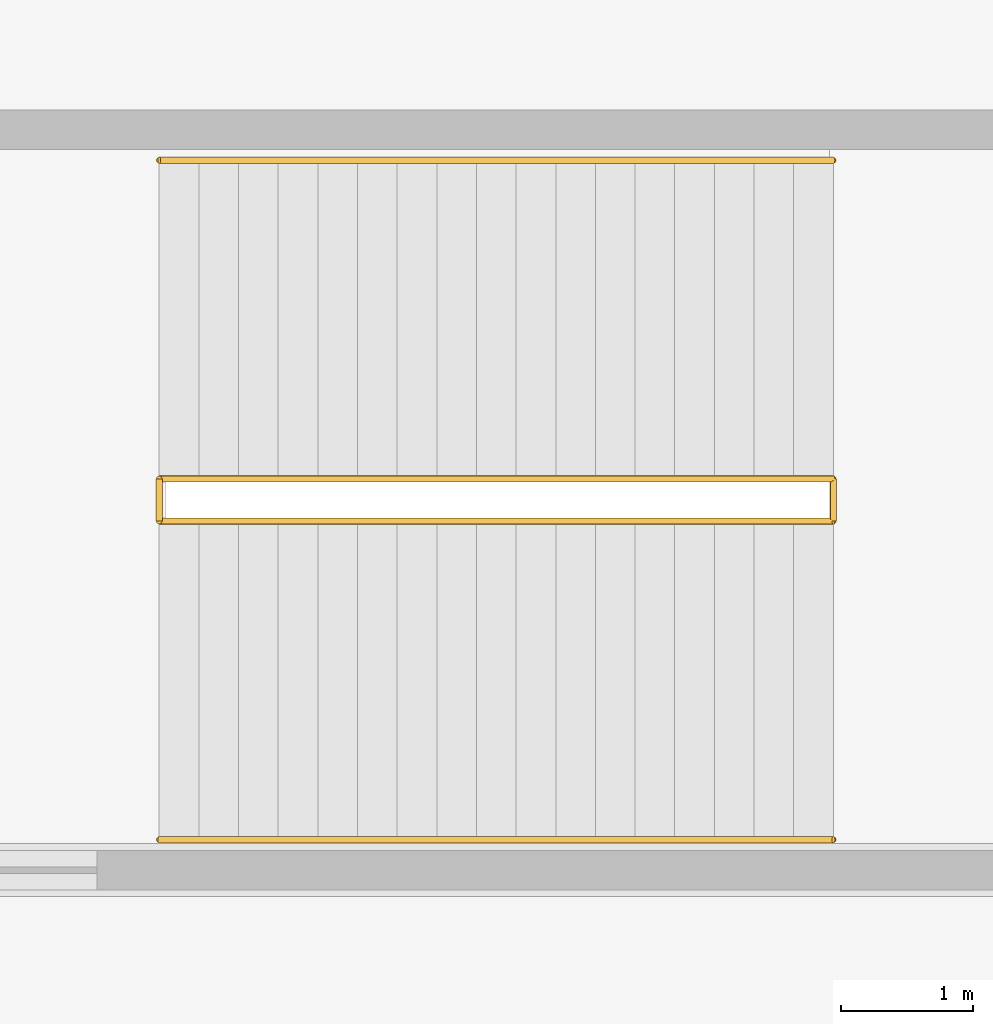
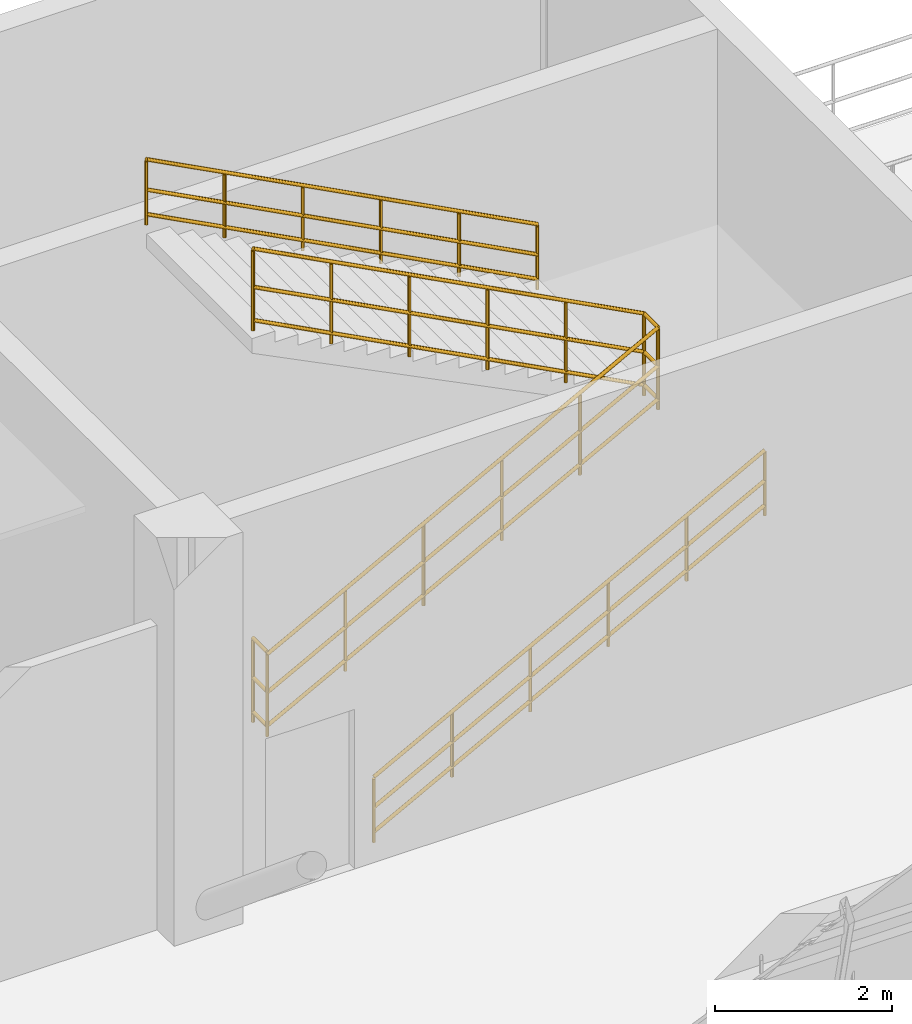
# One storey, part 155 of 175: 4 railings.
"""IFC4 building model written with IfcOpenShell, lengths in metres."""

from ifc_helpers import new_model, si_unit, direction, frame, origin, origin_2d, place, context, subcontext, project, spatial, circle, extrude, material, type_object, element, save


model = new_model("IFC4")

# Units and contexts
model_context = context("Model", 3, precision=1e-05, world=origin(), true_north=direction((0.0, 1.0)))
body_context = subcontext(model_context, "Body", "Model", "MODEL_VIEW")
ifc_project = project(units=[si_unit("LENGTHUNIT", "METRE"), si_unit("AREAUNIT", "SQUARE_METRE"), si_unit("VOLUMEUNIT", "CUBIC_METRE"), si_unit("PLANEANGLEUNIT", "RADIAN"), si_unit("MASSUNIT", "GRAM", prefix="KILO")], contexts=[model_context])

# Site, building, storey
site_placement = place(None, origin())
site = spatial("IfcSite", under=ifc_project, at=site_placement, CompositionType="ELEMENT")
building_placement = place(site_placement, origin())
building = spatial("IfcBuilding", under=site, at=building_placement, Name="Brelvane Convention Centre", CompositionType="ELEMENT")
storey_placement = place(building_placement, frame((0.0, 0.0, 5.39990234375)))
storey = spatial("IfcBuildingStorey", under=building, at=storey_placement, Name="L01", CompositionType="ELEMENT", Elevation=5.39990234375)

# Railings
ifc_material_1 = material(Name="Steel E350 (350 MPa)", Category="steel")
railing_type_1 = type_object("IfcRailingType", Name="Stair Railing GR-ST-1", PredefinedType="GUARDRAIL", material=ifc_material_1)
railing_1_placement = place(storey_placement, frame((84.14990234375, 21.840087890625, -0.02001953125)))
element("IfcRailing", 1, at=railing_1_placement, inside=storey, type_object=railing_type_1, Name="Stair ST-10 L01 Inner Well Guard", PredefinedType="GUARDRAIL", context=body_context, shape_type="SweptSolid", body=[
    extrude(circle(Radius=0.02392578125, at=origin_2d()), frame((0.0, 0.0, 1.1259765625), z_axis=(0.882341248864, 0.0, 0.470610157724), x_axis=(0.0, 1.0, 0.0)), (0.0, 0.0, 1.0), 5.7802734375),
    extrude(circle(Radius=0.02392578125, at=origin_2d()), frame((0.0, 0.0, 0.597900390625), z_axis=(0.882341248864, 0.0, 0.470610157724), x_axis=(0.0, 1.0, 0.0)), (0.0, 0.0, 1.0), 5.7802734375),
    extrude(circle(Radius=0.02392578125, at=origin_2d()), frame((0.0, 0.0, 0.139892578125), z_axis=(0.882341248864, 0.0, 0.470610157724), x_axis=(0.0, 1.0, 0.0)), (0.0, 0.0, 1.0), 5.7802734375),
    extrude(circle(Radius=0.02392578125, at=origin_2d()), frame((5.10009765625, 0.0, 3.84619140625), z_axis=(0.0, 1.0, 0.0), x_axis=(-1.0, 0.0, 0.0)), (0.0, 0.0, 1.0), 0.31982421875),
    extrude(circle(Radius=0.02392578125, at=origin_2d()), frame((5.10009765625, 0.0, 3.318115234375), z_axis=(0.0, 1.0, 0.0), x_axis=(-1.0, 0.0, 0.0)), (0.0, 0.0, 1.0), 0.31982421875),
    extrude(circle(Radius=0.02392578125, at=origin_2d()), frame((5.10009765625, 0.0, 2.860107421875), z_axis=(0.0, 1.0, 0.0), x_axis=(-1.0, 0.0, 0.0)), (0.0, 0.0, 1.0), 0.31982421875),
    extrude(circle(Radius=0.02392578125, at=origin_2d()), frame((5.10009765625, 0.31982421875, 3.84619140625), z_axis=(-0.885227801088, 0.0, 0.465157758379), x_axis=(0.0, -1.0, 0.0)), (0.0, 0.0, 1.0), 5.76123046875),
    extrude(circle(Radius=0.02392578125, at=origin_2d()), frame((5.10009765625, 0.31982421875, 3.318115234375), z_axis=(-0.885227801088, 0.0, 0.465157758379), x_axis=(0.0, -1.0, 0.0)), (0.0, 0.0, 1.0), 5.76123046875),
    extrude(circle(Radius=0.02392578125, at=origin_2d()), frame((5.10009765625, 0.31982421875, 2.860107421875), z_axis=(-0.885227801088, 0.0, 0.465157758379), x_axis=(0.0, -1.0, 0.0)), (0.0, 0.0, 1.0), 5.76123046875),
    extrude(circle(Radius=0.02099609375, at=origin_2d()), origin(), (0.0, 0.0, 1.0), 1.101806640625),
    extrude(circle(Radius=0.02099609375, at=origin_2d()), frame((1.02001953125, 0.0, 0.5439453125)), (0.0, 0.0, 1.0), 1.101806640625),
    extrude(circle(Radius=0.02099609375, at=origin_2d()), frame((2.0400390625, 0.0, 1.088134765625)), (0.0, 0.0, 1.0), 1.101806640625),
    extrude(circle(Radius=0.02099609375, at=origin_2d()), frame((3.06005859375, 0.0, 1.632080078125)), (0.0, 0.0, 1.0), 1.101806640625),
    extrude(circle(Radius=0.02099609375, at=origin_2d()), frame((4.080078125, 0.0, 2.17626953125)), (0.0, 0.0, 1.0), 1.101806640625),
    extrude(circle(Radius=0.02099609375, at=origin_2d()), frame((5.10009765625, 0.0, 2.72021484375)), (0.0, 0.0, 1.0), 1.101806640625),
    extrude(circle(Radius=0.02099609375, at=origin_2d()), frame((5.10009765625, 0.31982421875, 2.72021484375)), (0.0, 0.0, 1.0), 1.101806640625),
    extrude(circle(Radius=0.02099609375, at=origin_2d()), frame((4.080078125, 0.31982421875, 3.256103515625)), (0.0, 0.0, 1.0), 1.101806640625),
    extrude(circle(Radius=0.02099609375, at=origin_2d()), frame((3.06005859375, 0.31982421875, 3.792236328125)), (0.0, 0.0, 1.0), 1.101806640625),
    extrude(circle(Radius=0.02099609375, at=origin_2d()), frame((2.0400390625, 0.31982421875, 4.328125)), (0.0, 0.0, 1.0), 1.101806640625),
    extrude(circle(Radius=0.02099609375, at=origin_2d()), frame((1.02001953125, 0.31982421875, 4.8642578125)), (0.0, 0.0, 1.0), 1.101806640625),
    extrude(circle(Radius=0.02099609375, at=origin_2d()), frame((0.0, 0.31982421875, 5.400146484375)), (0.0, 0.0, 1.0), 1.101806640625),
])
ifc_material_2 = material(Name="Steel E350 (350 MPa)", Category="steel")
railing_type_2 = type_object("IfcRailingType", Name="Stair Railing GR-ST-2", PredefinedType="GUARDRAIL", material=ifc_material_2)
railing_2_placement = place(storey_placement, frame((84.14990234375, 21.840087890625, -0.02001953125)))
element("IfcRailing", 2, at=railing_2_placement, inside=storey, type_object=railing_type_2, Name="Stair ST-10 L01 Landing Well Guard", PredefinedType="GUARDRAIL", context=body_context, shape_type="SweptSolid", body=[
    extrude(circle(Radius=0.02392578125, at=origin_2d()), frame((0.0, 0.0, 1.15576171875), z_axis=(0.0, 1.0, 0.0), x_axis=(-1.0, 0.0, 0.0)), (0.0, 0.0, 1.0), 0.31982421875),
    extrude(circle(Radius=0.02392578125, at=origin_2d()), frame((0.0, 0.0, 0.613525390625), z_axis=(0.0, 1.0, 0.0), x_axis=(-1.0, 0.0, 0.0)), (0.0, 0.0, 1.0), 0.31982421875),
    extrude(circle(Radius=0.02392578125, at=origin_2d()), frame((0.0, 0.0, 0.139892578125), z_axis=(0.0, 1.0, 0.0), x_axis=(-1.0, 0.0, 0.0)), (0.0, 0.0, 1.0), 0.31982421875),
    extrude(circle(Radius=0.02099609375, at=origin_2d()), origin(), (0.0, 0.0, 1.0), 1.1318359375),
    extrude(circle(Radius=0.02099609375, at=origin_2d()), frame((0.0, 0.31982421875, 0.0)), (0.0, 0.0, 1.0), 1.1318359375),
])
ifc_material_3 = material(Name="Steel E350 (350 MPa)", Category="steel")
railing_type_3 = type_object("IfcRailingType", Name="Stair Railing HR-ST-1", PredefinedType="HANDRAIL", material=ifc_material_3)
railing_3_placement = place(storey_placement, frame((84.14990234375, 19.429931640625, -0.02001953125)))
element("IfcRailing", 3, at=railing_3_placement, inside=storey, type_object=railing_type_3, Name="Stair ST-10 L01 Outer Handrail F1", PredefinedType="HANDRAIL", context=body_context, shape_type="SweptSolid", body=[
    extrude(circle(Radius=0.02392578125, at=origin_2d()), frame((0.0, 0.0, 0.89599609375), z_axis=(0.882341248864, 0.0, 0.470610157724), x_axis=(0.0, 1.0, 0.0)), (0.0, 0.0, 1.0), 5.7802734375),
    extrude(circle(Radius=0.02392578125, at=origin_2d()), frame((0.0, 0.0, 0.478271484375), z_axis=(0.882341248864, 0.0, 0.470610157724), x_axis=(0.0, 1.0, 0.0)), (0.0, 0.0, 1.0), 5.7802734375),
    extrude(circle(Radius=0.02392578125, at=origin_2d()), frame((0.0, 0.0, 0.139892578125), z_axis=(0.882341248864, 0.0, 0.470610157724), x_axis=(0.0, 1.0, 0.0)), (0.0, 0.0, 1.0), 5.7802734375),
    extrude(circle(Radius=0.02099609375, at=origin_2d()), origin(), (0.0, 0.0, 1.0), 0.871826171875),
    extrude(circle(Radius=0.02099609375, at=origin_2d()), frame((1.02001953125, 0.0, 0.5439453125)), (0.0, 0.0, 1.0), 0.871826171875),
    extrude(circle(Radius=0.02099609375, at=origin_2d()), frame((2.0400390625, 0.0, 1.088134765625)), (0.0, 0.0, 1.0), 0.871826171875),
    extrude(circle(Radius=0.02099609375, at=origin_2d()), frame((3.06005859375, 0.0, 1.632080078125)), (0.0, 0.0, 1.0), 0.871826171875),
    extrude(circle(Radius=0.02099609375, at=origin_2d()), frame((4.080078125, 0.0, 2.17626953125)), (0.0, 0.0, 1.0), 0.871826171875),
    extrude(circle(Radius=0.02099609375, at=origin_2d()), frame((5.10009765625, 0.0, 2.72021484375)), (0.0, 0.0, 1.0), 0.871826171875),
])
railing_4_placement = place(storey_placement, frame((89.25, 24.570068359375, 2.7001953125)))
element("IfcRailing", 4, at=railing_4_placement, inside=storey, type_object=railing_type_3, Name="Stair ST-10 L01 Outer Handrail F2", PredefinedType="HANDRAIL", context=body_context, shape_type="SweptSolid", body=[
    extrude(circle(Radius=0.02392578125, at=origin_2d()), frame((0.0, 0.0, 0.89599609375), z_axis=(-0.885227801088, 0.0, 0.465157758379), x_axis=(0.0, -1.0, 0.0)), (0.0, 0.0, 1.0), 5.76123046875),
    extrude(circle(Radius=0.02392578125, at=origin_2d()), frame((0.0, 0.0, 0.478271484375), z_axis=(-0.885227801088, 0.0, 0.465157758379), x_axis=(0.0, -1.0, 0.0)), (0.0, 0.0, 1.0), 5.76123046875),
    extrude(circle(Radius=0.02392578125, at=origin_2d()), frame((0.0, 0.0, 0.139892578125), z_axis=(-0.885227801088, 0.0, 0.465157758379), x_axis=(0.0, -1.0, 0.0)), (0.0, 0.0, 1.0), 5.76123046875),
    extrude(circle(Radius=0.02099609375, at=origin_2d()), origin(), (0.0, 0.0, 1.0), 0.871826171875),
    extrude(circle(Radius=0.02099609375, at=origin_2d()), frame((-1.02001953125, 0.0, 0.535888671875)), (0.0, 0.0, 1.0), 0.871826171875),
    extrude(circle(Radius=0.02099609375, at=origin_2d()), frame((-2.0400390625, 0.0, 1.072021484375)), (0.0, 0.0, 1.0), 0.871826171875),
    extrude(circle(Radius=0.02099609375, at=origin_2d()), frame((-3.06005859375, 0.0, 1.60791015625)), (0.0, 0.0, 1.0), 0.871826171875),
    extrude(circle(Radius=0.02099609375, at=origin_2d()), frame((-4.080078125, 0.0, 2.14404296875)), (0.0, 0.0, 1.0), 0.871826171875),
    extrude(circle(Radius=0.02099609375, at=origin_2d()), frame((-5.10009765625, 0.0, 2.679931640625)), (0.0, 0.0, 1.0), 0.871826171875),
])

save(model, "model.ifc")
